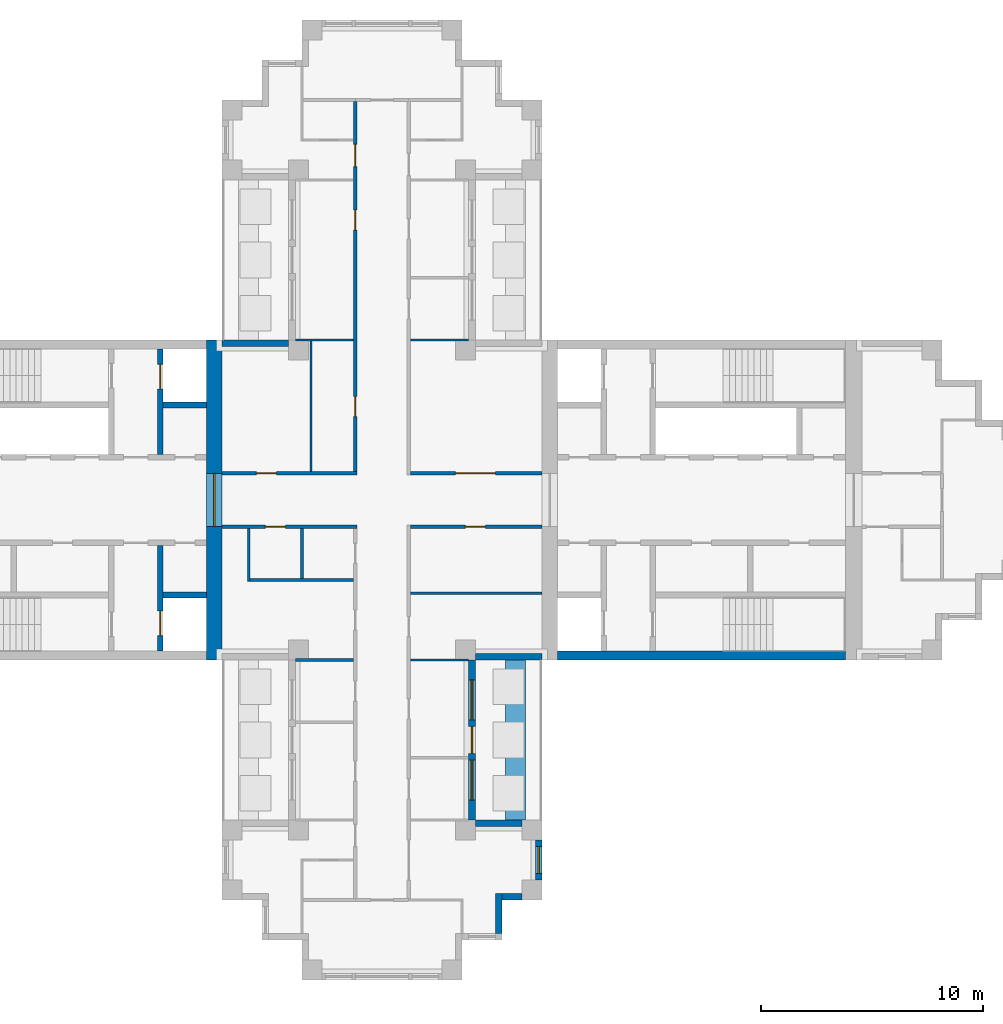
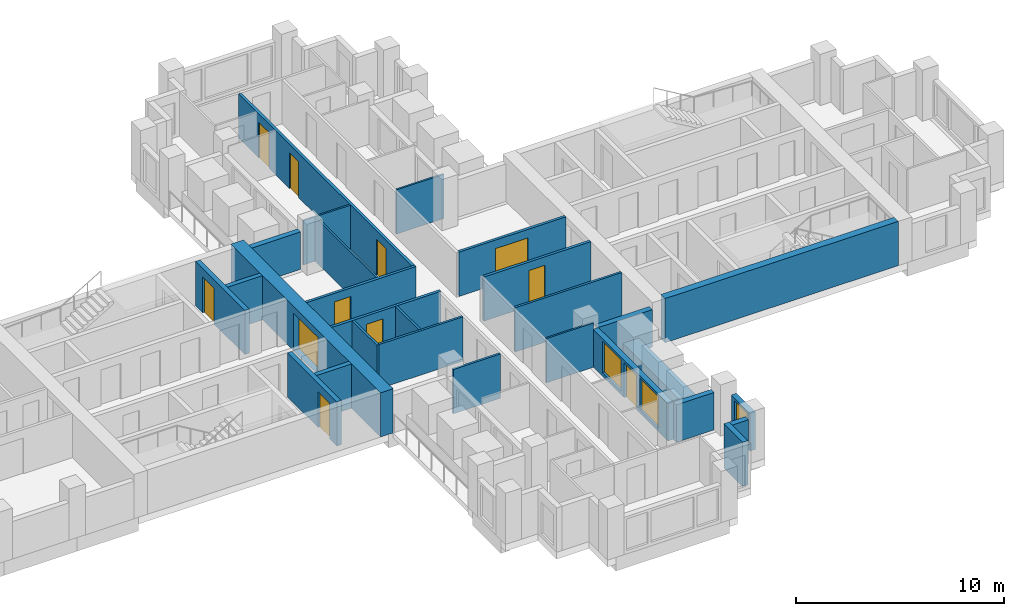
# One storey, part 5 of 11: 28 walls, 11 doors, 3 windows, 14 openings.
"""IFC4 building model written with IfcOpenShell, lengths in metres."""

from ifc_helpers import new_model, si_unit, direction, frame, frame_2d, origin, place, context, subcontext, project, spatial, rectangle, extrude, material, layer, layer_set, type_object, element, fill, save


model = new_model("IFC4")

# Units and contexts
model_context = context("Model", 3, precision=1e-05, world=origin(), true_north=direction((0.0, 1.0)))
body_context = subcontext(model_context, "Body", "Model", "MODEL_VIEW")
ifc_project = project(units=[si_unit("LENGTHUNIT", "METRE"), si_unit("AREAUNIT", "SQUARE_METRE"), si_unit("VOLUMEUNIT", "CUBIC_METRE"), si_unit("PLANEANGLEUNIT", "RADIAN"), si_unit("MASSUNIT", "GRAM", prefix="KILO")], contexts=[model_context])

# Site, building, storey
site_placement = place(None, origin())
site = spatial("IfcSite", under=ifc_project, at=site_placement, CompositionType="ELEMENT")
building_placement = place(site_placement, origin())
building = spatial("IfcBuilding", under=site, at=building_placement, Name="Fustian Cross Tower", CompositionType="ELEMENT")
storey_placement = place(building_placement, frame((0.0, 0.0, 176.699951171875)))
storey = spatial("IfcBuildingStorey", under=building, at=storey_placement, Name="L55", CompositionType="ELEMENT", Elevation=176.699951171875)

# Wall, opening, door
ifc_material_1 = material(Name="Plasterboard on steel stud", Category="steel")
ifc_layer_1 = layer(ifc_material_1, 0.14990234375)
ifc_layer_set_1 = layer_set([ifc_layer_1], Name="Plasterboard on steel stud")
wall_type_1 = type_object("IfcWallType", Name="COMPARTMENT WALL 150 EI 60", PredefinedType="PARTITIONING", material=ifc_layer_set_1)
wall_1_placement = place(storey_placement, frame((-7.199951171875, -1.199951171875, 0.0), z_axis=(0.0, 0.0, 1.0), x_axis=(1.0, 0.0, 0.0)))
wall_1 = element("IfcWall", 1, at=wall_1_placement, inside=storey, type_object=wall_type_1, Name="Partition 13", PredefinedType="PARTITIONING", context=body_context, shape_type="SweptSolid", body=[
    extrude(rectangle(XDim=6.074951171875, YDim=0.14990234375, at=frame_2d((3.03759765625, 0.0))), origin(), (0.0, 0.0, 1.0), 2.60009765625),
])
opening_1_placement = place(wall_1_placement, frame((1.949951171875, 0.0, 0.0)))
opening_1 = element("IfcOpeningElement", 2, at=opening_1_placement, cuts=wall_1, Name="Opening D25007", PredefinedType="OPENING", context=body_context, shape_type="SweptSolid", body=[
    extrude(rectangle(XDim=0.89990234375, YDim=2.10009765625, at=frame_2d((0.449951171875, 1.050048828125))), frame((0.0, 0.0849609375, 0.0), z_axis=(0.0, -1.0, 0.0), x_axis=(1.0, 0.0, 0.0)), (0.0, 0.0, 1.0), 0.169921875),
])
ifc_material_2 = material(Name="Timber fire door set", Category="wood")
door_type_1 = type_object("IfcDoorType", Name="FIRE SWING DOOR 900 FD30S", OperationType="SINGLE_SWING_LEFT", PredefinedType="DOOR", material=ifc_material_2)
door_1_placement = place(opening_1_placement, frame((0.89990234375, 0.0, 0.0), z_axis=(0.0, 0.0, 1.0), x_axis=(-1.0, 0.0, 0.0)))
door_1 = element("IfcDoor", 3, at=door_1_placement, inside=storey, type_object=door_type_1, Name="Door D25007", OperationType="SINGLE_SWING_RIGHT", OverallHeight=2.10009765625, OverallWidth=0.89990234375, PredefinedType="DOOR", context=body_context, shape_type="SweptSolid", body=[
    extrude(rectangle(XDim=0.89990234375, YDim=2.10009765625, at=frame_2d((0.449951171875, 1.050048828125))), frame((0.0, 0.02490234375, 0.0), z_axis=(0.0, -1.0, 0.0), x_axis=(1.0, 0.0, 0.0)), (0.0, 0.0, 1.0), 0.050048828125),
])
fill(opening_1, door_1)

wall_2_placement = place(storey_placement, frame((-7.199951171875, 1.199951171875, 0.0), z_axis=(0.0, 0.0, 1.0), x_axis=(1.0, 0.0, 0.0)))
wall_2 = element("IfcWall", 4, at=wall_2_placement, inside=storey, type_object=wall_type_1, Name="Partition 14", PredefinedType="PARTITIONING", context=body_context, shape_type="SweptSolid", body=[
    extrude(rectangle(XDim=6.074951171875, YDim=0.14990234375, at=frame_2d((3.03759765625, 0.0))), origin(), (0.0, 0.0, 1.0), 2.60009765625),
])
opening_2_placement = place(wall_2_placement, frame((1.550048828125, 0.0, 0.0)))
opening_2 = element("IfcOpeningElement", 5, at=opening_2_placement, cuts=wall_2, Name="Opening D25003", PredefinedType="OPENING", context=body_context, shape_type="SweptSolid", body=[
    extrude(rectangle(XDim=0.89990234375, YDim=2.10009765625, at=frame_2d((0.449951171875, 1.050048828125))), frame((0.0, 0.0849609375, 0.0), z_axis=(0.0, -1.0, 0.0), x_axis=(1.0, 0.0, 0.0)), (0.0, 0.0, 1.0), 0.169921875),
])
door_2_placement = place(opening_2_placement, origin())
door_2 = element("IfcDoor", 6, at=door_2_placement, inside=storey, type_object=door_type_1, Name="Door D25003", OperationType="SINGLE_SWING_LEFT", OverallHeight=2.10009765625, OverallWidth=0.89990234375, PredefinedType="DOOR", context=body_context, shape_type="SweptSolid", body=[
    extrude(rectangle(XDim=0.89990234375, YDim=2.10009765625, at=frame_2d((0.449951171875, 1.050048828125))), frame((0.0, 0.02490234375, 0.0), z_axis=(0.0, -1.0, 0.0), x_axis=(1.0, 0.0, 0.0)), (0.0, 0.0, 1.0), 0.050048828125),
])
fill(opening_2, door_2)

# Wall, openings, doors
wall_3_placement = place(storey_placement, frame((-1.199951171875, 1.27490234375, 0.0), z_axis=(0.0, 0.0, 1.0), x_axis=(0.0, 1.0, 0.0)))
wall_3 = element("IfcWall", 7, at=wall_3_placement, inside=storey, type_object=wall_type_1, Name="Partition 32", PredefinedType="PARTITIONING", context=body_context, shape_type="SweptSolid", body=[
    extrude(rectangle(XDim=16.650146484375, YDim=0.14990234375, at=frame_2d((8.3251953125, 0.0))), origin(), (0.0, 0.0, 1.0), 2.60009765625),
])
opening_3_placement = place(wall_3_placement, frame((2.47509765625, 0.0, 0.0)))
opening_3 = element("IfcOpeningElement", 8, at=opening_3_placement, cuts=wall_3, Name="Opening D25002", PredefinedType="OPENING", context=body_context, shape_type="SweptSolid", body=[
    extrude(rectangle(XDim=0.89990234375, YDim=2.10009765625, at=frame_2d((0.449951171875, 1.050048828125))), frame((0.0, 0.0849609375, 0.0), z_axis=(0.0, -1.0, 0.0), x_axis=(1.0, 0.0, 0.0)), (0.0, 0.0, 1.0), 0.169921875),
])
opening_4_placement = place(wall_3_placement, frame((10.875, 0.0, 0.0)))
opening_4 = element("IfcOpeningElement", 9, at=opening_4_placement, cuts=wall_3, Name="Opening D25014", PredefinedType="OPENING", context=body_context, shape_type="SweptSolid", body=[
    extrude(rectangle(XDim=0.89990234375, YDim=2.10009765625, at=frame_2d((0.449951171875, 1.050048828125))), frame((0.0, 0.0849609375, 0.0), z_axis=(0.0, -1.0, 0.0), x_axis=(1.0, 0.0, 0.0)), (0.0, 0.0, 1.0), 0.169921875),
])
opening_5_placement = place(wall_3_placement, frame((13.72509765625, 0.0, 0.0)))
opening_5 = element("IfcOpeningElement", 10, at=opening_5_placement, cuts=wall_3, Name="Opening D25016", PredefinedType="OPENING", context=body_context, shape_type="SweptSolid", body=[
    extrude(rectangle(XDim=1.0, YDim=2.10009765625, at=frame_2d((0.5, 1.050048828125))), frame((0.0, 0.0849609375, 0.0), z_axis=(0.0, -1.0, 0.0), x_axis=(1.0, 0.0, 0.0)), (0.0, 0.0, 1.0), 0.169921875),
])
ifc_material_3 = material(Name="Timber fire door set", Category="wood")
door_type_2 = type_object("IfcDoorType", Name="FIRE SWING DOOR 1000 FD30S", OperationType="SINGLE_SWING_LEFT", PredefinedType="DOOR", material=ifc_material_3)
door_3_placement = place(opening_5_placement, origin())
door_3 = element("IfcDoor", 11, at=door_3_placement, inside=storey, type_object=door_type_2, Name="Door D25016", OperationType="SINGLE_SWING_RIGHT", OverallHeight=2.10009765625, OverallWidth=1.0, PredefinedType="DOOR", context=body_context, shape_type="SweptSolid", body=[
    extrude(rectangle(XDim=1.0, YDim=2.10009765625, at=frame_2d((0.5, 1.050048828125))), frame((0.0, 0.02490234375, 0.0), z_axis=(0.0, -1.0, 0.0), x_axis=(1.0, 0.0, 0.0)), (0.0, 0.0, 1.0), 0.050048828125),
])
fill(opening_5, door_3)
door_4_placement = place(opening_3_placement, origin())
door_4 = element("IfcDoor", 12, at=door_4_placement, inside=storey, type_object=door_type_1, Name="Door D25002", OperationType="SINGLE_SWING_LEFT", OverallHeight=2.10009765625, OverallWidth=0.89990234375, PredefinedType="DOOR", context=body_context, shape_type="SweptSolid", body=[
    extrude(rectangle(XDim=0.89990234375, YDim=2.10009765625, at=frame_2d((0.449951171875, 1.050048828125))), frame((0.0, 0.02490234375, 0.0), z_axis=(0.0, -1.0, 0.0), x_axis=(1.0, 0.0, 0.0)), (0.0, 0.0, 1.0), 0.050048828125),
])
fill(opening_3, door_4)
door_5_placement = place(opening_4_placement, origin())
door_5 = element("IfcDoor", 13, at=door_5_placement, inside=storey, type_object=door_type_1, Name="Door D25014", OperationType="SINGLE_SWING_RIGHT", OverallHeight=2.10009765625, OverallWidth=0.89990234375, PredefinedType="DOOR", context=body_context, shape_type="SweptSolid", body=[
    extrude(rectangle(XDim=0.89990234375, YDim=2.10009765625, at=frame_2d((0.449951171875, 1.050048828125))), frame((0.0, 0.02490234375, 0.0), z_axis=(0.0, -1.0, 0.0), x_axis=(1.0, 0.0, 0.0)), (0.0, 0.0, 1.0), 0.050048828125),
])
fill(opening_4, door_5)

# Wall, opening, door
wall_4_placement = place(storey_placement, frame((1.27490234375, -1.199951171875, 0.0), z_axis=(0.0, 0.0, 1.0), x_axis=(1.0, 0.0, 0.0)))
wall_4 = element("IfcWall", 14, at=wall_4_placement, inside=storey, type_object=wall_type_1, Name="Partition 40", PredefinedType="PARTITIONING", context=body_context, shape_type="SweptSolid", body=[
    extrude(rectangle(XDim=5.925048828125, YDim=0.14990234375, at=frame_2d((2.96240234375, 0.0))), origin(), (0.0, 0.0, 1.0), 2.60009765625),
])
opening_6_placement = place(wall_4_placement, frame((2.47509765625, 0.0, 0.0)))
opening_6 = element("IfcOpeningElement", 15, at=opening_6_placement, cuts=wall_4, Name="Opening D25004", PredefinedType="OPENING", context=body_context, shape_type="SweptSolid", body=[
    extrude(rectangle(XDim=0.89990234375, YDim=2.10009765625, at=frame_2d((0.449951171875, 1.050048828125))), frame((0.0, 0.0849609375, 0.0), z_axis=(0.0, -1.0, 0.0), x_axis=(1.0, 0.0, 0.0)), (0.0, 0.0, 1.0), 0.169921875),
])
door_6_placement = place(opening_6_placement, frame((0.89990234375, 0.0, 0.0), z_axis=(0.0, 0.0, 1.0), x_axis=(-1.0, 0.0, 0.0)))
door_6 = element("IfcDoor", 16, at=door_6_placement, inside=storey, type_object=door_type_1, Name="Door D25004", OperationType="SINGLE_SWING_RIGHT", OverallHeight=2.10009765625, OverallWidth=0.89990234375, PredefinedType="DOOR", context=body_context, shape_type="SweptSolid", body=[
    extrude(rectangle(XDim=0.89990234375, YDim=2.10009765625, at=frame_2d((0.449951171875, 1.050048828125))), frame((0.0, 0.02490234375, 0.0), z_axis=(0.0, -1.0, 0.0), x_axis=(1.0, 0.0, 0.0)), (0.0, 0.0, 1.0), 0.050048828125),
])
fill(opening_6, door_6)

wall_5_placement = place(storey_placement, frame((1.27490234375, 1.199951171875, 0.0), z_axis=(0.0, 0.0, 1.0), x_axis=(1.0, 0.0, 0.0)))
wall_5 = element("IfcWall", 17, at=wall_5_placement, inside=storey, type_object=wall_type_1, Name="Partition 42", PredefinedType="PARTITIONING", context=body_context, shape_type="SweptSolid", body=[
    extrude(rectangle(XDim=5.925048828125, YDim=0.14990234375, at=frame_2d((2.96240234375, 0.0))), origin(), (0.0, 0.0, 1.0), 2.60009765625),
])
opening_7_placement = place(wall_5_placement, frame((2.02490234375, 0.0, 0.0)))
opening_7 = element("IfcOpeningElement", 18, at=opening_7_placement, cuts=wall_5, Name="Opening D25001", PredefinedType="OPENING", context=body_context, shape_type="SweptSolid", body=[
    extrude(rectangle(XDim=1.800048828125, YDim=2.10009765625, at=frame_2d((0.89990234375, 1.050048828125))), frame((0.0, 0.0849609375, 0.0), z_axis=(0.0, -1.0, 0.0), x_axis=(1.0, 0.0, 0.0)), (0.0, 0.0, 1.0), 0.169921875),
])
ifc_material_4 = material(Name="Timber fire door set", Category="wood")
door_type_3 = type_object("IfcDoorType", Name="FIRE DOUBLE DOOR 1800 FD30S", OperationType="DOUBLE_DOOR_DOUBLE_SWING", PredefinedType="DOOR", material=ifc_material_4)
door_7_placement = place(opening_7_placement, frame((1.800048828125, 0.0, 0.0), z_axis=(0.0, 0.0, 1.0), x_axis=(-1.0, 0.0, 0.0)))
door_7 = element("IfcDoor", 19, at=door_7_placement, inside=storey, type_object=door_type_3, Name="Door D25001", OperationType="DOUBLE_DOOR_DOUBLE_SWING", OverallHeight=2.10009765625, OverallWidth=1.800048828125, PredefinedType="DOOR", context=body_context, shape_type="SweptSolid", body=[
    extrude(rectangle(XDim=1.800048828125, YDim=2.10009765625, at=frame_2d((0.89990234375, 1.050048828125))), frame((0.0, 0.02490234375, 0.0), z_axis=(0.0, -1.0, 0.0), x_axis=(1.0, 0.0, 0.0)), (0.0, 0.0, 1.0), 0.050048828125),
])
fill(opening_7, door_7)

ifc_material_5 = material(Name="Concrete C50/60", Category="concrete")
ifc_layer_2 = layer(ifc_material_5, 0.699951171875)
ifc_layer_set_2 = layer_set([ifc_layer_2], Name="Concrete C50/60")
wall_type_2 = type_object("IfcWallType", Name="CORE END WALL 700 C50/60", PredefinedType="SHEAR", material=ifc_layer_set_2)
wall_6_placement = place(storey_placement, frame((-7.550048828125, -7.199951171875, 0.0), z_axis=(0.0, 0.0, 1.0), x_axis=(0.0, 1.0, 0.0)))
wall_6 = element("IfcWall", 20, at=wall_6_placement, inside=storey, type_object=wall_type_2, Name="Core end wall", PredefinedType="SHEAR", context=body_context, shape_type="SweptSolid", body=[
    extrude(rectangle(XDim=14.39990234375, YDim=0.699951171875, at=frame_2d((7.199951171875, 0.0))), origin(), (0.0, 0.0, 1.0), 2.60009765625),
])
opening_8_placement = place(wall_6_placement, frame((6.0, 0.0, 0.0)))
opening_8 = element("IfcOpeningElement", 21, at=opening_8_placement, cuts=wall_6, Name="Opening CD-22-28", PredefinedType="OPENING", context=body_context, shape_type="SweptSolid", body=[
    extrude(rectangle(XDim=2.39990234375, YDim=2.199951171875, at=frame_2d((1.199951171875, 1.10009765625))), frame((0.0, 0.35986328125, 0.0), z_axis=(0.0, -1.0, 0.0), x_axis=(1.0, 0.0, 0.0)), (0.0, 0.0, 1.0), 0.719970703125),
])
ifc_material_6 = material(Name="Steel", Category="steel")
door_type_4 = type_object("IfcDoorType", Name="FIRE DOOR FD30S DOUBLE 2400X2200", OperationType="DOUBLE_DOOR_DOUBLE_SWING", PredefinedType="DOOR", material=ifc_material_6)
door_8_placement = place(opening_8_placement, origin())
door_8 = element("IfcDoor", 22, at=door_8_placement, inside=storey, type_object=door_type_4, Name="Core door CD-22-28", OperationType="DOUBLE_DOOR_DOUBLE_SWING", OverallHeight=2.199951171875, OverallWidth=2.39990234375, PredefinedType="DOOR", context=body_context, shape_type="SweptSolid", body=[
    extrude(rectangle(XDim=2.39990234375, YDim=2.199951171875, at=frame_2d((1.199951171875, 1.10009765625))), frame((0.0, 0.02490234375, 0.0), z_axis=(0.0, -1.0, 0.0), x_axis=(1.0, 0.0, 0.0)), (0.0, 0.0, 1.0), 0.050048828125),
])
fill(opening_8, door_8)

# Walls
ifc_material_7 = material(Name="Concrete C50/60", Category="concrete")
ifc_layer_3 = layer(ifc_material_7, 0.39990234375)
ifc_layer_set_3 = layer_set([ifc_layer_3], Name="Concrete C50/60")
wall_type_3 = type_object("IfcWallType", Name="CORE FACADE WALL 400 C50/60", PredefinedType="SHEAR", material=ifc_layer_set_3)
wall_7_placement = place(storey_placement, frame((7.89990234375, -7.0, 0.0), z_axis=(0.0, 0.0, 1.0), x_axis=(1.0, 0.0, 0.0)))
element("IfcWall", 23, at=wall_7_placement, inside=storey, type_object=wall_type_3, Name="Core facade wall", PredefinedType="SHEAR", context=body_context, shape_type="SweptSolid", body=[
    extrude(rectangle(XDim=12.9501953125, YDim=0.39990234375, at=frame_2d((6.47509765625, 0.0))), origin(), (0.0, 0.0, 1.0), 2.60009765625),
])
ifc_material_8 = material(Name="Concrete C50/60", Category="concrete")
ifc_layer_4 = layer(ifc_material_8, 0.25)
ifc_layer_set_4 = layer_set([ifc_layer_4], Name="Concrete C50/60")
wall_type_4 = type_object("IfcWallType", Name="CORE SHAFT WALL 250 C50/60", PredefinedType="SHEAR", material=ifc_layer_set_4)
wall_8_placement = place(storey_placement, frame((-7.89990234375, 4.27490234375, 0.0), z_axis=(0.0, 0.0, 1.0), x_axis=(-1.0, 0.0, 0.0)))
element("IfcWall", 24, at=wall_8_placement, inside=storey, type_object=wall_type_4, Name="Core shaft wall", PredefinedType="SHEAR", context=body_context, shape_type="SweptSolid", body=[
    extrude(rectangle(XDim=1.9501953125, YDim=0.25, at=frame_2d((0.97509765625, 0.0))), origin(), (0.0, 0.0, 1.0), 2.60009765625),
])

# Wall, opening, door
wall_9_placement = place(storey_placement, frame((-9.97509765625, 2.050048828125, 0.0), z_axis=(0.0, 0.0, 1.0), x_axis=(0.0, 1.0, 0.0)))
wall_9 = element("IfcWall", 25, at=wall_9_placement, inside=storey, type_object=wall_type_4, Name="Core shaft wall", PredefinedType="SHEAR", context=body_context, shape_type="SweptSolid", body=[
    extrude(rectangle(XDim=4.75, YDim=0.25, at=frame_2d((2.375, 0.0))), origin(), (0.0, 0.0, 1.0), 2.60009765625),
])
opening_9_placement = place(wall_9_placement, frame((2.949951171875, 0.0, 0.0)))
opening_9 = element("IfcOpeningElement", 26, at=opening_9_placement, cuts=wall_9, Name="Opening LD", PredefinedType="OPENING", context=body_context, shape_type="SweptSolid", body=[
    extrude(rectangle(XDim=1.10009765625, YDim=2.10009765625, at=frame_2d((0.550048828125, 1.050048828125))), frame((0.0, 0.135009765625, 0.0), z_axis=(0.0, -1.0, 0.0), x_axis=(1.0, 0.0, 0.0)), (0.0, 0.0, 1.0), 0.27001953125),
])
ifc_material_9 = material(Name="Stainless steel", Category="steel")
door_type_5 = type_object("IfcDoorType", Name="LIFT LANDING DOOR 1100X2100", OperationType="SLIDING_TO_LEFT", PredefinedType="DOOR", material=ifc_material_9)
door_9_placement = place(opening_9_placement, origin())
door_9 = element("IfcDoor", 27, at=door_9_placement, inside=storey, type_object=door_type_5, Name="Landing door FL1W", OperationType="SLIDING_TO_LEFT", OverallHeight=2.10009765625, OverallWidth=1.10009765625, PredefinedType="DOOR", context=body_context, shape_type="SweptSolid", body=[
    extrude(rectangle(XDim=1.10009765625, YDim=2.10009765625, at=frame_2d((0.550048828125, 1.050048828125))), frame((0.0, 0.02490234375, 0.0), z_axis=(0.0, -1.0, 0.0), x_axis=(1.0, 0.0, 0.0)), (0.0, 0.0, 1.0), 0.050048828125),
])
fill(opening_9, door_9)

# Wall
wall_10_placement = place(storey_placement, frame((-7.89990234375, -4.27490234375, 0.0), z_axis=(0.0, 0.0, 1.0), x_axis=(-1.0, 0.0, 0.0)))
element("IfcWall", 28, at=wall_10_placement, inside=storey, type_object=wall_type_4, Name="Core shaft wall", PredefinedType="SHEAR", context=body_context, shape_type="SweptSolid", body=[
    extrude(rectangle(XDim=1.9501953125, YDim=0.25, at=frame_2d((0.97509765625, 0.0))), origin(), (0.0, 0.0, 1.0), 2.60009765625),
])

# Wall, opening, door
wall_11_placement = place(storey_placement, frame((-9.97509765625, -2.050048828125, 0.0), z_axis=(0.0, 0.0, 1.0), x_axis=(0.0, -1.0, 0.0)))
wall_11 = element("IfcWall", 29, at=wall_11_placement, inside=storey, type_object=wall_type_4, Name="Core shaft wall", PredefinedType="SHEAR", context=body_context, shape_type="SweptSolid", body=[
    extrude(rectangle(XDim=4.75, YDim=0.25, at=frame_2d((2.375, 0.0))), origin(), (0.0, 0.0, 1.0), 2.60009765625),
])
opening_10_placement = place(wall_11_placement, frame((2.949951171875, 0.0, 0.0)))
opening_10 = element("IfcOpeningElement", 30, at=opening_10_placement, cuts=wall_11, Name="Opening LD", PredefinedType="OPENING", context=body_context, shape_type="SweptSolid", body=[
    extrude(rectangle(XDim=1.10009765625, YDim=2.10009765625, at=frame_2d((0.550048828125, 1.050048828125))), frame((0.0, 0.135009765625, 0.0), z_axis=(0.0, -1.0, 0.0), x_axis=(1.0, 0.0, 0.0)), (0.0, 0.0, 1.0), 0.27001953125),
])
door_10_placement = place(opening_10_placement, origin())
door_10 = element("IfcDoor", 31, at=door_10_placement, inside=storey, type_object=door_type_5, Name="Landing door SV1W", OperationType="SLIDING_TO_LEFT", OverallHeight=2.10009765625, OverallWidth=1.10009765625, PredefinedType="DOOR", context=body_context, shape_type="SweptSolid", body=[
    extrude(rectangle(XDim=1.10009765625, YDim=2.10009765625, at=frame_2d((0.550048828125, 1.050048828125))), frame((0.0, 0.02490234375, 0.0), z_axis=(0.0, -1.0, 0.0), x_axis=(1.0, 0.0, 0.0)), (0.0, 0.0, 1.0), 0.050048828125),
])
fill(opening_10, door_10)

# Walls
ifc_material_10 = material(Name="Plasterboard on steel stud", Category="steel")
ifc_layer_5 = layer(ifc_material_10, 0.10009765625)
ifc_layer_set_5 = layer_set([ifc_layer_5], Name="Plasterboard on steel stud")
wall_type_5 = type_object("IfcWallType", Name="PARTITION 100 STUD", PredefinedType="PARTITIONING", material=ifc_layer_set_5)
wall_12_placement = place(storey_placement, frame((-3.89990234375, 7.199951171875, 0.0), z_axis=(0.0, 0.0, 1.0), x_axis=(1.0, 0.0, 0.0)))
element("IfcWall", 32, at=wall_12_placement, inside=storey, type_object=wall_type_5, Name="Partition 20", PredefinedType="PARTITIONING", context=body_context, shape_type="SweptSolid", body=[
    extrude(rectangle(XDim=2.625, YDim=0.10009765625, at=frame_2d((1.3125, 0.0))), origin(), (0.0, 0.0, 1.0), 2.60009765625),
])
wall_13_placement = place(storey_placement, frame((-3.199951171875, 1.27490234375, 0.0), z_axis=(0.0, 0.0, 1.0), x_axis=(0.0, 1.0, 0.0)))
element("IfcWall", 33, at=wall_13_placement, inside=storey, type_object=wall_type_5, Name="Partition 29", PredefinedType="PARTITIONING", context=body_context, shape_type="SweptSolid", body=[
    extrude(rectangle(XDim=5.875, YDim=0.10009765625, at=frame_2d((2.9375, 0.0))), origin(), (0.0, 0.0, 1.0), 2.60009765625),
])
for number, where, z_axis, x_axis, name in (
    (34, (1.27490234375, -7.199951171875, 0.0), (0.0, 0.0, 1.0), (1.0, 0.0, 0.0), "Partition 38"),
    (35, (1.27490234375, 7.199951171875, 0.0), (0.0, 0.0, 1.0), (1.0, 0.0, 0.0), "Partition 43"),
):
    element("IfcWall", number, at=place(storey_placement, frame(where, z_axis=z_axis, x_axis=x_axis)), inside=storey, type_object=wall_type_5, Name=name, PredefinedType="PARTITIONING", context=body_context, shape_type="SweptSolid", body=[
        extrude(rectangle(XDim=2.625, YDim=0.10009765625, at=frame_2d((1.3125, 0.0))), origin(), (0.0, 0.0, 1.0), 2.60009765625),
    ])
ifc_material_11 = material(Name="Concrete C40/50", Category="concrete")
ifc_layer_6 = layer(ifc_material_11, 0.89990234375)
ifc_layer_set_6 = layer_set([ifc_layer_6], Name="Concrete C40/50")
wall_type_6 = type_object("IfcWallType", Name="PK1 PLANTER 900", PredefinedType="PARAPET", material=ifc_layer_set_6)
wall_14_placement = place(storey_placement, frame((6.0, -14.39990234375, 0.0), z_axis=(0.0, 0.0, 1.0), x_axis=(0.0, 1.0, 0.0)))
element("IfcWall", 36, at=wall_14_placement, inside=storey, type_object=wall_type_6, Name="PLANTER", PredefinedType="PARAPET", context=body_context, shape_type="SweptSolid", body=[
    extrude(rectangle(XDim=7.199951171875, YDim=0.89990234375, at=frame_2d((3.60009765625, 0.0))), origin(), (0.0, 0.0, 1.0), 0.800048828125),
])
ifc_material_12 = material(Name="Plasterboard on steel stud", Category="steel")
ifc_layer_7 = layer(ifc_material_12, 0.125)
ifc_layer_set_7 = layer_set([ifc_layer_7], Name="Plasterboard on steel stud")
wall_type_7 = type_object("IfcWallType", Name="WET WALL 125 STUD", PredefinedType="PARTITIONING", material=ifc_layer_set_7)
wall_15_placement = place(storey_placement, frame((-6.0, -3.66259765625, 0.0), z_axis=(0.0, 0.0, 1.0), x_axis=(0.0, 1.0, 0.0)))
element("IfcWall", 37, at=wall_15_placement, inside=storey, type_object=wall_type_7, Name="Partition 15", PredefinedType="PARTITIONING", context=body_context, shape_type="SweptSolid", body=[
    extrude(rectangle(XDim=2.3876953125, YDim=0.125, at=frame_2d((1.19384765625, 0.0))), origin(), (0.0, 0.0, 1.0), 2.60009765625),
])
wall_16_placement = place(storey_placement, frame((-5.9375, -3.60009765625, 0.0), z_axis=(0.0, 0.0, 1.0), x_axis=(1.0, 0.0, 0.0)))
element("IfcWall", 38, at=wall_16_placement, inside=storey, type_object=wall_type_7, Name="Partition 16", PredefinedType="PARTITIONING", context=body_context, shape_type="SweptSolid", body=[
    extrude(rectangle(XDim=4.66259765625, YDim=0.125, at=frame_2d((2.331298828125, 0.0))), origin(), (0.0, 0.0, 1.0), 2.60009765625),
])
wall_17_placement = place(storey_placement, frame((-3.89990234375, -7.199951171875, 0.0), z_axis=(0.0, 0.0, 1.0), x_axis=(1.0, 0.0, 0.0)))
element("IfcWall", 39, at=wall_17_placement, inside=storey, type_object=wall_type_7, Name="Partition 19", PredefinedType="PARTITIONING", context=body_context, shape_type="SweptSolid", body=[
    extrude(rectangle(XDim=2.625, YDim=0.125, at=frame_2d((1.3125, 0.0))), origin(), (0.0, 0.0, 1.0), 2.60009765625),
])
wall_18_placement = place(storey_placement, frame((-3.60009765625, -3.53759765625, 0.0), z_axis=(0.0, 0.0, 1.0), x_axis=(0.0, 1.0, 0.0)))
element("IfcWall", 40, at=wall_18_placement, inside=storey, type_object=wall_type_7, Name="Partition 25", PredefinedType="PARTITIONING", context=body_context, shape_type="SweptSolid", body=[
    extrude(rectangle(XDim=2.2626953125, YDim=0.125, at=frame_2d((1.13134765625, 0.0))), origin(), (0.0, 0.0, 1.0), 2.60009765625),
])
wall_19_placement = place(storey_placement, frame((1.27490234375, -4.199951171875, 0.0), z_axis=(0.0, 0.0, 1.0), x_axis=(1.0, 0.0, 0.0)))
element("IfcWall", 41, at=wall_19_placement, inside=storey, type_object=wall_type_7, Name="Partition 39", PredefinedType="PARTITIONING", context=body_context, shape_type="SweptSolid", body=[
    extrude(rectangle(XDim=5.925048828125, YDim=0.125, at=frame_2d((2.96240234375, 0.0))), origin(), (0.0, 0.0, 1.0), 2.60009765625),
])
ifc_material_13 = material(Name="Dark aluminium cladding on insulated backing wall", Category="aluminium")
ifc_layer_8 = layer(ifc_material_13, 0.300048828125)
ifc_layer_set_8 = layer_set([ifc_layer_8], Name="Dark aluminium cladding on insulated backing wall")
wall_type_8 = type_object("IfcWallType", Name="XW1 EXTERNAL WALL 300", PredefinedType="SOLIDWALL", material=ifc_layer_set_8)
wall_20_placement = place(storey_placement, frame((-4.199951171875, 7.050048828125, 0.0), z_axis=(0.0, 0.0, 1.0), x_axis=(-1.0, 0.0, 0.0)))
element("IfcWall", 42, at=wall_20_placement, inside=storey, type_object=wall_type_8, Name="External wall", PredefinedType="SOLIDWALL", context=body_context, shape_type="SweptSolid", body=[
    extrude(rectangle(XDim=3.0, YDim=0.300048828125, at=frame_2d((1.5, 0.0))), origin(), (0.0, 0.0, 1.0), 2.199951171875),
])
wall_21_placement = place(storey_placement, frame((5.25, -19.5, 0.0), z_axis=(0.0, 0.0, 1.0), x_axis=(0.0, 1.0, 0.0)))
element("IfcWall", 43, at=wall_21_placement, inside=storey, type_object=wall_type_8, Name="External wall", PredefinedType="SOLIDWALL", context=body_context, shape_type="SweptSolid", body=[
    extrude(rectangle(XDim=1.800048828125, YDim=0.300048828125, at=frame_2d((0.89990234375, 0.0))), origin(), (0.0, 0.0, 1.0), 2.60009765625),
])
wall_22_placement = place(storey_placement, frame((5.39990234375, -17.85009765625, 0.0), z_axis=(0.0, 0.0, 1.0), x_axis=(1.0, 0.0, 0.0)))
element("IfcWall", 44, at=wall_22_placement, inside=storey, type_object=wall_type_8, Name="External wall", PredefinedType="SOLIDWALL", context=body_context, shape_type="SweptSolid", body=[
    extrude(rectangle(XDim=0.900146484375, YDim=0.300048828125, at=frame_2d((0.4501953125, 0.0))), origin(), (0.0, 0.0, 1.0), 2.60009765625),
])

# Wall, opening, window
wall_23_placement = place(storey_placement, frame((7.050048828125, -17.10009765625, 0.0), z_axis=(0.0, 0.0, 1.0), x_axis=(0.0, 1.0, 0.0)))
wall_23 = element("IfcWall", 45, at=wall_23_placement, inside=storey, type_object=wall_type_8, Name="External wall", PredefinedType="SOLIDWALL", context=body_context, shape_type="SweptSolid", body=[
    extrude(rectangle(XDim=1.800048828125, YDim=0.300048828125, at=frame_2d((0.89990234375, 0.0))), origin(), (0.0, 0.0, 1.0), 2.199951171875),
])
opening_11_placement = place(wall_23_placement, frame((0.300048828125, 0.0, 0.199951171875)))
opening_11 = element("IfcOpeningElement", 46, at=opening_11_placement, cuts=wall_23, Name="Opening WN3", PredefinedType="OPENING", context=body_context, shape_type="SweptSolid", body=[
    extrude(rectangle(XDim=1.199951171875, YDim=1.85009765625, at=frame_2d((0.60009765625, 0.925048828125))), frame((0.0, 0.159912109375, 0.0), z_axis=(0.0, -1.0, 0.0), x_axis=(1.0, 0.0, 0.0)), (0.0, 0.0, 1.0), 0.320068359375),
])
ifc_material_14 = material(Name="Dark anodised aluminium and double glazing", Category="aluminium")
window_type_1 = type_object("IfcWindowType", Name="WN3 WINDOW 1200X1850", PartitioningType="SINGLE_PANEL", PredefinedType="WINDOW", material=ifc_material_14)
window_1_placement = place(opening_11_placement, origin())
window_1 = element("IfcWindow", 47, at=window_1_placement, inside=storey, type_object=window_type_1, Name="Window", OverallHeight=1.85009765625, OverallWidth=1.199951171875, PartitioningType="SINGLE_PANEL", PredefinedType="WINDOW", context=body_context, shape_type="SweptSolid", body=[
    extrude(rectangle(XDim=1.199951171875, YDim=1.85009765625, at=frame_2d((0.60009765625, 0.925048828125))), frame((0.0, 0.030029296875, 0.0), z_axis=(0.0, -1.0, 0.0), x_axis=(1.0, 0.0, 0.0)), (0.0, 0.0, 1.0), 0.06005859375),
])
fill(opening_11, window_1)

# Wall
wall_24_placement = place(storey_placement, frame((6.300048828125, -14.550048828125, 0.0), z_axis=(0.0, 0.0, 1.0), x_axis=(-1.0, 0.0, 0.0)))
element("IfcWall", 48, at=wall_24_placement, inside=storey, type_object=wall_type_8, Name="External wall", PredefinedType="SOLIDWALL", context=body_context, shape_type="SweptSolid", body=[
    extrude(rectangle(XDim=2.10009765625, YDim=0.300048828125, at=frame_2d((1.050048828125, 0.0))), origin(), (0.0, 0.0, 1.0), 2.199951171875),
])

# Wall, openings, door, windows
wall_25_placement = place(storey_placement, frame((4.050048828125, -14.39990234375, 0.0), z_axis=(0.0, 0.0, 1.0), x_axis=(0.0, 1.0, 0.0)))
wall_25 = element("IfcWall", 49, at=wall_25_placement, inside=storey, type_object=wall_type_8, Name="External wall", PredefinedType="SOLIDWALL", context=body_context, shape_type="SweptSolid", body=[
    extrude(rectangle(XDim=7.199951171875, YDim=0.300048828125, at=frame_2d((3.60009765625, 0.0))), origin(), (0.0, 0.0, 1.0), 2.199951171875),
])
opening_12_placement = place(wall_25_placement, frame((3.0, 0.0, 0.0)))
opening_12 = element("IfcOpeningElement", 50, at=opening_12_placement, cuts=wall_25, Name="Opening XD3", PredefinedType="OPENING", context=body_context, shape_type="SweptSolid", body=[
    extrude(rectangle(XDim=1.199951171875, YDim=2.050048828125, at=frame_2d((0.60009765625, 1.02490234375))), frame((0.0, 0.159912109375, 0.0), z_axis=(0.0, -1.0, 0.0), x_axis=(1.0, 0.0, 0.0)), (0.0, 0.0, 1.0), 0.320068359375),
])
opening_13_placement = place(wall_25_placement, frame((0.89990234375, 0.0, 0.199951171875)))
opening_13 = element("IfcOpeningElement", 51, at=opening_13_placement, cuts=wall_25, Name="Opening WN2", PredefinedType="OPENING", context=body_context, shape_type="SweptSolid", body=[
    extrude(rectangle(XDim=1.800048828125, YDim=1.85009765625, at=frame_2d((0.89990234375, 0.925048828125))), frame((0.0, 0.159912109375, 0.0), z_axis=(0.0, -1.0, 0.0), x_axis=(1.0, 0.0, 0.0)), (0.0, 0.0, 1.0), 0.320068359375),
])
opening_14_placement = place(wall_25_placement, frame((4.5, 0.0, 0.199951171875)))
opening_14 = element("IfcOpeningElement", 52, at=opening_14_placement, cuts=wall_25, Name="Opening WN2", PredefinedType="OPENING", context=body_context, shape_type="SweptSolid", body=[
    extrude(rectangle(XDim=1.800048828125, YDim=1.85009765625, at=frame_2d((0.89990234375, 0.925048828125))), frame((0.0, 0.159912109375, 0.0), z_axis=(0.0, -1.0, 0.0), x_axis=(1.0, 0.0, 0.0)), (0.0, 0.0, 1.0), 0.320068359375),
])
ifc_material_15 = material(Name="Dark anodised aluminium and double glazing", Category="aluminium")
door_type_6 = type_object("IfcDoorType", Name="ED1 BALCONY DOOR 1200X2050", OperationType="SINGLE_SWING_LEFT", PredefinedType="DOOR", material=ifc_material_15)
door_11_placement = place(opening_12_placement, origin())
door_11 = element("IfcDoor", 53, at=door_11_placement, inside=storey, type_object=door_type_6, Name="Balcony door", OperationType="SINGLE_SWING_LEFT", OverallHeight=2.050048828125, OverallWidth=1.199951171875, PredefinedType="DOOR", context=body_context, shape_type="SweptSolid", body=[
    extrude(rectangle(XDim=1.199951171875, YDim=2.050048828125, at=frame_2d((0.60009765625, 1.02490234375))), frame((0.0, 0.02490234375, 0.0), z_axis=(0.0, -1.0, 0.0), x_axis=(1.0, 0.0, 0.0)), (0.0, 0.0, 1.0), 0.050048828125),
])
fill(opening_12, door_11)
ifc_material_16 = material(Name="Dark anodised aluminium and double glazing", Category="aluminium")
window_type_2 = type_object("IfcWindowType", Name="WN2 WINDOW 1800X1850", PartitioningType="SINGLE_PANEL", PredefinedType="WINDOW", material=ifc_material_16)
window_2_placement = place(opening_13_placement, origin())
window_2 = element("IfcWindow", 54, at=window_2_placement, inside=storey, type_object=window_type_2, Name="Window", OverallHeight=1.85009765625, OverallWidth=1.800048828125, PartitioningType="SINGLE_PANEL", PredefinedType="WINDOW", context=body_context, shape_type="SweptSolid", body=[
    extrude(rectangle(XDim=1.800048828125, YDim=1.85009765625, at=frame_2d((0.89990234375, 0.925048828125))), frame((0.0, 0.030029296875, 0.0), z_axis=(0.0, -1.0, 0.0), x_axis=(1.0, 0.0, 0.0)), (0.0, 0.0, 1.0), 0.06005859375),
])
fill(opening_13, window_2)
window_3_placement = place(opening_14_placement, origin())
window_3 = element("IfcWindow", 55, at=window_3_placement, inside=storey, type_object=window_type_2, Name="Window", OverallHeight=1.85009765625, OverallWidth=1.800048828125, PartitioningType="SINGLE_PANEL", PredefinedType="WINDOW", context=body_context, shape_type="SweptSolid", body=[
    extrude(rectangle(XDim=1.800048828125, YDim=1.85009765625, at=frame_2d((0.89990234375, 0.925048828125))), frame((0.0, 0.030029296875, 0.0), z_axis=(0.0, -1.0, 0.0), x_axis=(1.0, 0.0, 0.0)), (0.0, 0.0, 1.0), 0.06005859375),
])
fill(opening_14, window_3)

# Wall
wall_26_placement = place(storey_placement, frame((4.199951171875, -7.050048828125, 0.0), z_axis=(0.0, 0.0, 1.0), x_axis=(1.0, 0.0, 0.0)))
element("IfcWall", 56, at=wall_26_placement, inside=storey, type_object=wall_type_8, Name="External wall", PredefinedType="SOLIDWALL", context=body_context, shape_type="SweptSolid", body=[
    extrude(rectangle(XDim=3.0, YDim=0.300048828125, at=frame_2d((1.5, 0.0))), origin(), (0.0, 0.0, 1.0), 2.199951171875),
])

save(model, "model.ifc")
